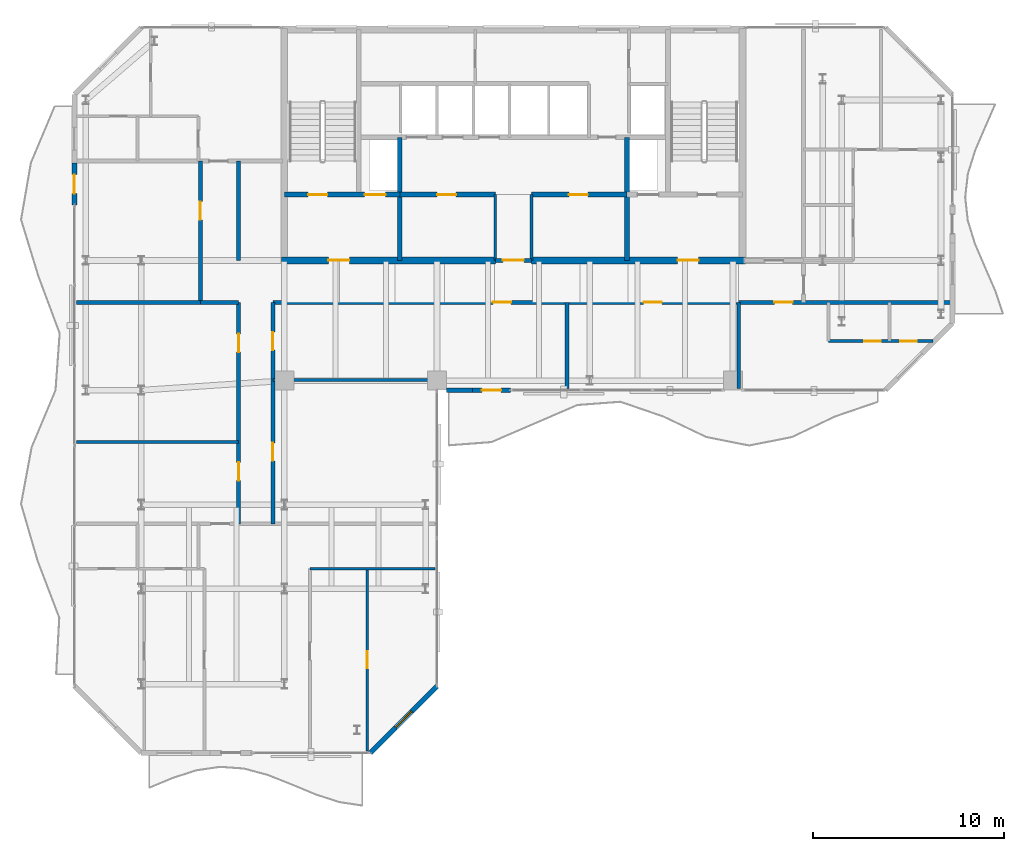
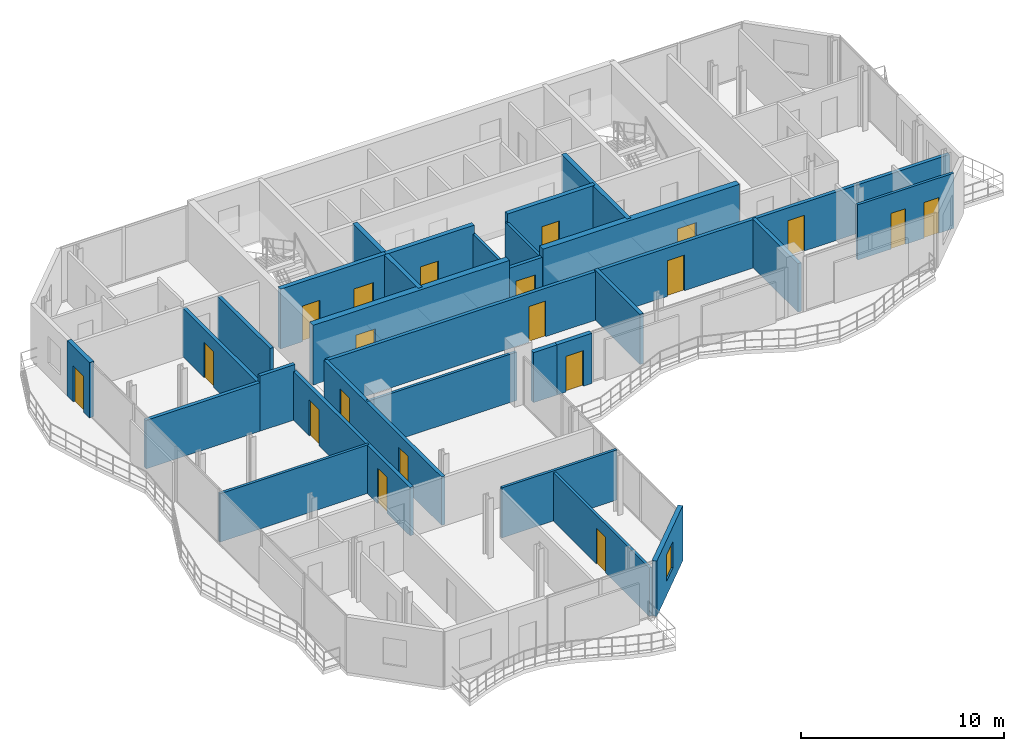
# One storey, part 18 of 23: 28 walls, 20 doors, 1 window, 21 openings.
"""IFC4 building model written with IfcOpenShell, lengths in metres."""

from ifc_helpers import new_model, si_unit, direction, frame, frame_2d, origin, place, context, subcontext, project, spatial, rectangle, extrude, material, layer, layer_set, type_object, element, fill, save


model = new_model("IFC4")

# Units and contexts
model_context = context("Model", 3, precision=1e-05, world=origin(), true_north=direction((0.0, 1.0)))
body_context = subcontext(model_context, "Body", "Model", "MODEL_VIEW")
ifc_project = project(units=[si_unit("LENGTHUNIT", "METRE"), si_unit("AREAUNIT", "SQUARE_METRE"), si_unit("VOLUMEUNIT", "CUBIC_METRE"), si_unit("PLANEANGLEUNIT", "RADIAN"), si_unit("MASSUNIT", "GRAM", prefix="KILO")], contexts=[model_context])

# Site, building, storey
site_placement = place(None, origin())
site = spatial("IfcSite", under=ifc_project, at=site_placement, CompositionType="ELEMENT")
building_placement = place(site_placement, origin())
building = spatial("IfcBuilding", under=site, at=building_placement, Name="Catumbela Crestline Tower", CompositionType="ELEMENT")
storey_placement = place(building_placement, frame((0.0, 0.0, 197.4)))
storey = spatial("IfcBuildingStorey", under=building, at=storey_placement, Name="L51", CompositionType="ELEMENT", Elevation=197.4)

# Walls
ifc_material_1 = material(Name="Concrete C50/60", Category="concrete")
ifc_layer_1 = layer(ifc_material_1, 0.25, Name="Concrete C50/60")
ifc_layer_set_1 = layer_set([ifc_layer_1], Name="Concrete C50/60")
wall_type_1 = type_object("IfcWallType", Name="CW-250D", PredefinedType="SHEAR", material=ifc_layer_set_1)
for number, where, z_axis, x_axis, name in (
    (1, (22.05, 30.8, 0.0), (0.0, 0.0, 1.0), (0.0, 1.0, 0.0), "L51 Structural Core Shear Wall FFW"),
    (2, (33.95, 30.8, 0.0), (0.0, 0.0, 1.0), (0.0, 1.0, 0.0), "L51 Structural Core Shear Wall FFE"),
):
    element("IfcWall", number, at=place(storey_placement, frame(where, z_axis=z_axis, x_axis=x_axis)), inside=storey, type_object=wall_type_1, Name=name, PredefinedType="SHEAR", context=body_context, shape_type="SweptSolid", body=[
        extrude(rectangle(XDim=6.45, YDim=0.25, at=frame_2d((3.225, 0.0))), origin(), (0.0, 0.0, 1.0), 3.6),
    ])

# Wall, openings, doors
wall_1_placement = place(storey_placement, frame((16.0, 34.25, 0.0), z_axis=(0.0, 0.0, 1.0), x_axis=(1.0, 0.0, 0.0)))
wall_1 = element("IfcWall", 3, at=wall_1_placement, inside=storey, type_object=wall_type_1, Name="L51 Structural Core Shear Wall ST1S", PredefinedType="SHEAR", context=body_context, shape_type="SweptSolid", body=[
    extrude(rectangle(XDim=6.05, YDim=0.25, at=frame_2d((3.025, 0.0))), origin(), (0.0, 0.0, 1.0), 3.6),
])
opening_1_placement = place(wall_1_placement, frame((1.25, 0.0, 0.0)))
opening_1 = element("IfcOpeningElement", 4, at=opening_1_placement, cuts=wall_1, Name="Opening DF9-100", PredefinedType="OPENING", context=body_context, shape_type="SweptSolid", body=[
    extrude(rectangle(XDim=1.0, YDim=2.15, at=frame_2d((0.5, 1.075))), frame((0.0, 0.135, 0.0), z_axis=(0.0, -1.0, 0.0), x_axis=(1.0, 0.0, 0.0)), (0.0, 0.0, 1.0), 0.27),
])
opening_2_placement = place(wall_1_placement, frame((4.2, 0.0, 0.0)))
opening_2 = element("IfcOpeningElement", 5, at=opening_2_placement, cuts=wall_1, Name="Opening LD-110", PredefinedType="OPENING", context=body_context, shape_type="SweptSolid", body=[
    extrude(rectangle(XDim=1.1, YDim=2.15, at=frame_2d((0.55, 1.075))), frame((0.0, 0.135, 0.0), z_axis=(0.0, -1.0, 0.0), x_axis=(1.0, 0.0, 0.0)), (0.0, 0.0, 1.0), 0.27),
])
ifc_material_2 = material(Name="Stainless steel EN 1.4401", Category="steel")
door_type_1 = type_object("IfcDoorType", Name="DF9-100", OperationType="NOTDEFINED", PredefinedType="DOOR", material=ifc_material_2)
door_1_placement = place(opening_1_placement, origin())
door_1 = element("IfcDoor", 6, at=door_1_placement, inside=storey, type_object=door_type_1, Name="L51 Interior Door DR-L51-ST01", OperationType="SINGLE_SWING_LEFT", OverallHeight=2.15, OverallWidth=1.0, PredefinedType="DOOR", context=body_context, shape_type="SweptSolid", body=[
    extrude(rectangle(XDim=1.0, YDim=2.15, at=frame_2d((0.5, 1.075))), frame((0.0, 0.025, 0.0), z_axis=(0.0, -1.0, 0.0), x_axis=(1.0, 0.0, 0.0)), (0.0, 0.0, 1.0), 0.05),
])
fill(opening_1, door_1)
door_type_2 = type_object("IfcDoorType", Name="LD-110", OperationType="NOTDEFINED", PredefinedType="DOOR", material=ifc_material_2)
door_2_placement = place(opening_2_placement, origin())
door_2 = element("IfcDoor", 7, at=door_2_placement, inside=storey, type_object=door_type_2, Name="L51 Lift Landing Sliding Door FL-01", OperationType="DOUBLE_DOOR_SLIDING", OverallHeight=2.15, OverallWidth=1.1, PredefinedType="DOOR", context=body_context, shape_type="SweptSolid", body=[
    extrude(rectangle(XDim=1.1, YDim=2.15, at=frame_2d((0.55, 1.075))), frame((0.0, 0.025, 0.0), z_axis=(0.0, -1.0, 0.0), x_axis=(1.0, 0.0, 0.0)), (0.0, 0.0, 1.0), 0.05),
])
fill(opening_2, door_2)

# Wall, opening, door
wall_2_placement = place(storey_placement, frame((22.05, 34.25, 0.0), z_axis=(0.0, 0.0, 1.0), x_axis=(1.0, 0.0, 0.0)))
wall_2 = element("IfcWall", 8, at=wall_2_placement, inside=storey, type_object=wall_type_1, Name="L51 Structural Core Shear Wall LIFTS-W", PredefinedType="SHEAR", context=body_context, shape_type="SweptSolid", body=[
    extrude(rectangle(XDim=5.0, YDim=0.25, at=frame_2d((2.5, 0.0))), origin(), (0.0, 0.0, 1.0), 3.6),
])
opening_3_placement = place(wall_2_placement, frame((1.95, 0.0, 0.0)))
opening_3 = element("IfcOpeningElement", 9, at=opening_3_placement, cuts=wall_2, Name="Opening DF9-100", PredefinedType="OPENING", context=body_context, shape_type="SweptSolid", body=[
    extrude(rectangle(XDim=1.0, YDim=2.15, at=frame_2d((0.5, 1.075))), frame((0.0, 0.135, 0.0), z_axis=(0.0, -1.0, 0.0), x_axis=(1.0, 0.0, 0.0)), (0.0, 0.0, 1.0), 0.27),
])
door_3_placement = place(opening_3_placement, origin())
door_3 = element("IfcDoor", 10, at=door_3_placement, inside=storey, type_object=door_type_1, Name="L51 Interior Door DR-L51-RECL1", OperationType="SINGLE_SWING_LEFT", OverallHeight=2.15, OverallWidth=1.0, PredefinedType="DOOR", context=body_context, shape_type="SweptSolid", body=[
    extrude(rectangle(XDim=1.0, YDim=2.15, at=frame_2d((0.5, 1.075))), frame((0.0, 0.025, 0.0), z_axis=(0.0, -1.0, 0.0), x_axis=(1.0, 0.0, 0.0)), (0.0, 0.0, 1.0), 0.05),
])
fill(opening_3, door_3)

wall_3_placement = place(storey_placement, frame((28.95, 34.25, 0.0), z_axis=(0.0, 0.0, 1.0), x_axis=(1.0, 0.0, 0.0)))
wall_3 = element("IfcWall", 11, at=wall_3_placement, inside=storey, type_object=wall_type_1, Name="L51 Structural Core Shear Wall LIFTS-E", PredefinedType="SHEAR", context=body_context, shape_type="SweptSolid", body=[
    extrude(rectangle(XDim=5.0, YDim=0.25, at=frame_2d((2.5, 0.0))), origin(), (0.0, 0.0, 1.0), 3.6),
])
opening_4_placement = place(wall_3_placement, frame((1.95, 0.0, 0.0)))
opening_4 = element("IfcOpeningElement", 12, at=opening_4_placement, cuts=wall_3, Name="Opening DF9-100", PredefinedType="OPENING", context=body_context, shape_type="SweptSolid", body=[
    extrude(rectangle(XDim=1.0, YDim=2.15, at=frame_2d((0.5, 1.075))), frame((0.0, 0.135, 0.0), z_axis=(0.0, -1.0, 0.0), x_axis=(1.0, 0.0, 0.0)), (0.0, 0.0, 1.0), 0.27),
])
door_4_placement = place(opening_4_placement, origin())
door_4 = element("IfcDoor", 13, at=door_4_placement, inside=storey, type_object=door_type_1, Name="L51 Interior Door DR-L51-RECL2", OperationType="SINGLE_SWING_RIGHT", OverallHeight=2.15, OverallWidth=1.0, PredefinedType="DOOR", context=body_context, shape_type="SweptSolid", body=[
    extrude(rectangle(XDim=1.0, YDim=2.15, at=frame_2d((0.5, 1.075))), frame((0.0, 0.025, 0.0), z_axis=(0.0, -1.0, 0.0), x_axis=(1.0, 0.0, 0.0)), (0.0, 0.0, 1.0), 0.05),
])
fill(opening_4, door_4)

ifc_layer_2 = layer(ifc_material_1, 0.35, Name="Concrete C50/60")
ifc_layer_set_2 = layer_set([ifc_layer_2], Name="Concrete C50/60")
wall_type_2 = type_object("IfcWallType", Name="CW-350B", PredefinedType="SHEAR", material=ifc_layer_set_2)
wall_4_placement = place(storey_placement, frame((15.85, 30.8, 0.0), z_axis=(0.0, 0.0, 1.0), x_axis=(1.0, 0.0, 0.0)))
wall_4 = element("IfcWall", 14, at=wall_4_placement, inside=storey, type_object=wall_type_2, Name="L51 Structural Core Shear Wall SW", PredefinedType="SHEAR", context=body_context, shape_type="SweptSolid", body=[
    extrude(rectangle(XDim=11.2, YDim=0.35, at=frame_2d((5.6, 0.0))), origin(), (0.0, 0.0, 1.0), 3.6),
])
opening_5_placement = place(wall_4_placement, frame((2.45, 0.0, 0.0)))
opening_5 = element("IfcOpeningElement", 15, at=opening_5_placement, cuts=wall_4, Name="Opening DF9-110", PredefinedType="OPENING", context=body_context, shape_type="SweptSolid", body=[
    extrude(rectangle(XDim=1.1, YDim=2.15, at=frame_2d((0.55, 1.075))), frame((0.0, 0.185, 0.0), z_axis=(0.0, -1.0, 0.0), x_axis=(1.0, 0.0, 0.0)), (0.0, 0.0, 1.0), 0.37),
])
door_type_3 = type_object("IfcDoorType", Name="DF9-110", OperationType="NOTDEFINED", PredefinedType="DOOR", material=ifc_material_2)
door_5_placement = place(opening_5_placement, origin())
door_5 = element("IfcDoor", 16, at=door_5_placement, inside=storey, type_object=door_type_3, Name="L51 Interior Door DR-L51-FFW-S", OperationType="SINGLE_SWING_LEFT", OverallHeight=2.15, OverallWidth=1.1, PredefinedType="DOOR", context=body_context, shape_type="SweptSolid", body=[
    extrude(rectangle(XDim=1.1, YDim=2.15, at=frame_2d((0.55, 1.075))), frame((0.0, 0.025, 0.0), z_axis=(0.0, -1.0, 0.0), x_axis=(1.0, 0.0, 0.0)), (0.0, 0.0, 1.0), 0.05),
])
fill(opening_5, door_5)

wall_5_placement = place(storey_placement, frame((28.95, 30.8, 0.0), z_axis=(0.0, 0.0, 1.0), x_axis=(1.0, 0.0, 0.0)))
wall_5 = element("IfcWall", 17, at=wall_5_placement, inside=storey, type_object=wall_type_2, Name="L51 Structural Core Shear Wall SE", PredefinedType="SHEAR", context=body_context, shape_type="SweptSolid", body=[
    extrude(rectangle(XDim=11.2, YDim=0.35, at=frame_2d((5.6, 0.0))), origin(), (0.0, 0.0, 1.0), 3.6),
])
opening_6_placement = place(wall_5_placement, frame((7.65, 0.0, 0.0)))
opening_6 = element("IfcOpeningElement", 18, at=opening_6_placement, cuts=wall_5, Name="Opening DF9-110", PredefinedType="OPENING", context=body_context, shape_type="SweptSolid", body=[
    extrude(rectangle(XDim=1.1, YDim=2.15, at=frame_2d((0.55, 1.075))), frame((0.0, 0.185, 0.0), z_axis=(0.0, -1.0, 0.0), x_axis=(1.0, 0.0, 0.0)), (0.0, 0.0, 1.0), 0.37),
])
door_6_placement = place(opening_6_placement, origin())
door_6 = element("IfcDoor", 19, at=door_6_placement, inside=storey, type_object=door_type_3, Name="L51 Interior Door DR-L51-FFE-S", OperationType="SINGLE_SWING_RIGHT", OverallHeight=2.15, OverallWidth=1.1, PredefinedType="DOOR", context=body_context, shape_type="SweptSolid", body=[
    extrude(rectangle(XDim=1.1, YDim=2.15, at=frame_2d((0.55, 1.075))), frame((0.0, 0.025, 0.0), z_axis=(0.0, -1.0, 0.0), x_axis=(1.0, 0.0, 0.0)), (0.0, 0.0, 1.0), 0.05),
])
fill(opening_6, door_6)

ifc_material_3 = material(Name="Acoustic gypsum and mineral-wool partition")
ifc_layer_3 = layer(ifc_material_3, 0.2, Name="Acoustic gypsum and mineral-wool partition")
ifc_layer_set_3 = layer_set([ifc_layer_3], Name="Acoustic gypsum and mineral-wool partition")
wall_type_3 = type_object("IfcWallType", Name="WC-200", PredefinedType="PARTITIONING", material=ifc_layer_set_3)
wall_6_placement = place(storey_placement, frame((27.05, 30.8, 0.0), z_axis=(0.0, 0.0, 1.0), x_axis=(1.0, 0.0, 0.0)))
wall_6 = element("IfcWall", 20, at=wall_6_placement, inside=storey, type_object=wall_type_3, Name="L51 Interior Partition PW-L51-CLOBS", PredefinedType="PARTITIONING", context=body_context, shape_type="SweptSolid", body=[
    extrude(rectangle(XDim=1.9, YDim=0.2, at=frame_2d((0.95, 0.0))), origin(), (0.0, 0.0, 1.0), 3.07),
])
opening_7_placement = place(wall_6_placement, frame((0.4, 0.0, 0.0)))
opening_7 = element("IfcOpeningElement", 21, at=opening_7_placement, cuts=wall_6, Name="Opening DF9-110", PredefinedType="OPENING", context=body_context, shape_type="SweptSolid", body=[
    extrude(rectangle(XDim=1.1, YDim=2.15, at=frame_2d((0.55, 1.075))), frame((0.0, 0.11, 0.0), z_axis=(0.0, -1.0, 0.0), x_axis=(1.0, 0.0, 0.0)), (0.0, 0.0, 1.0), 0.22),
])
door_7_placement = place(opening_7_placement, origin())
door_7 = element("IfcDoor", 22, at=door_7_placement, inside=storey, type_object=door_type_3, Name="L51 Interior Door DR-L51-CLOBS", OperationType="SINGLE_SWING_LEFT", OverallHeight=2.15, OverallWidth=1.1, PredefinedType="DOOR", context=body_context, shape_type="SweptSolid", body=[
    extrude(rectangle(XDim=1.1, YDim=2.15, at=frame_2d((0.55, 1.075))), frame((0.0, 0.025, 0.0), z_axis=(0.0, -1.0, 0.0), x_axis=(1.0, 0.0, 0.0)), (0.0, 0.0, 1.0), 0.05),
])
fill(opening_7, door_7)

# Wall
wall_7_placement = place(storey_placement, frame((11.6, 28.6, 0.0), z_axis=(0.0, 0.0, 1.0), x_axis=(1.0, 0.0, 0.0)))
element("IfcWall", 23, at=wall_7_placement, inside=storey, type_object=wall_type_3, Name="L51 Interior Partition PW-L51-RCWL", PredefinedType="PARTITIONING", context=body_context, shape_type="SweptSolid", body=[
    extrude(rectangle(XDim=2.0, YDim=0.2, at=frame_2d((1.0, 0.0))), origin(), (0.0, 0.0, 1.0), 3.33),
])

# Wall, openings, doors
wall_8_placement = place(storey_placement, frame((15.4, 28.6, 0.0), z_axis=(0.0, 0.0, 1.0), x_axis=(1.0, 0.0, 0.0)))
wall_8 = element("IfcWall", 24, at=wall_8_placement, inside=storey, type_object=wall_type_3, Name="L51 Interior Partition PW-L51-RCWR", PredefinedType="PARTITIONING", context=body_context, shape_type="SweptSolid", body=[
    extrude(rectangle(XDim=35.5, YDim=0.2, at=frame_2d((17.75, 0.0))), origin(), (0.0, 0.0, 1.0), 2.92),
])
opening_8_placement = place(wall_8_placement, frame((11.525, 0.0, 0.0)))
opening_8 = element("IfcOpeningElement", 25, at=opening_8_placement, cuts=wall_8, Name="Opening DF6-095", PredefinedType="OPENING", context=body_context, shape_type="SweptSolid", body=[
    extrude(rectangle(XDim=0.95, YDim=2.15, at=frame_2d((0.475, 1.075))), frame((0.0, 0.11, 0.0), z_axis=(0.0, -1.0, 0.0), x_axis=(1.0, 0.0, 0.0)), (0.0, 0.0, 1.0), 0.22),
])
opening_9_placement = place(wall_8_placement, frame((19.425, 0.0, 0.0)))
opening_9 = element("IfcOpeningElement", 26, at=opening_9_placement, cuts=wall_8, Name="Opening DF6-095", PredefinedType="OPENING", context=body_context, shape_type="SweptSolid", body=[
    extrude(rectangle(XDim=0.95, YDim=2.15, at=frame_2d((0.475, 1.075))), frame((0.0, 0.11, 0.0), z_axis=(0.0, -1.0, 0.0), x_axis=(1.0, 0.0, 0.0)), (0.0, 0.0, 1.0), 0.22),
])
opening_10_placement = place(wall_8_placement, frame((26.275, 0.0, 0.0)))
opening_10 = element("IfcOpeningElement", 27, at=opening_10_placement, cuts=wall_8, Name="Opening DF6-095", PredefinedType="OPENING", context=body_context, shape_type="SweptSolid", body=[
    extrude(rectangle(XDim=0.95, YDim=2.15, at=frame_2d((0.475, 1.075))), frame((0.0, 0.11, 0.0), z_axis=(0.0, -1.0, 0.0), x_axis=(1.0, 0.0, 0.0)), (0.0, 0.0, 1.0), 0.22),
])
ifc_material_4 = material(Name="Aluminium alloy AW-6060-T66", Category="aluminium")
door_type_4 = type_object("IfcDoorType", Name="DF6-095", OperationType="NOTDEFINED", PredefinedType="DOOR", material=ifc_material_4)
door_8_placement = place(opening_8_placement, origin())
door_8 = element("IfcDoor", 28, at=door_8_placement, inside=storey, type_object=door_type_4, Name="L51 Interior Door DR-L51-Z3AM1-ENT", OperationType="SINGLE_SWING_LEFT", OverallHeight=2.15, OverallWidth=0.95, PredefinedType="DOOR", context=body_context, shape_type="SweptSolid", body=[
    extrude(rectangle(XDim=0.95, YDim=2.15, at=frame_2d((0.475, 1.075))), frame((0.0, 0.025, 0.0), z_axis=(0.0, -1.0, 0.0), x_axis=(1.0, 0.0, 0.0)), (0.0, 0.0, 1.0), 0.05),
])
fill(opening_8, door_8)
door_9_placement = place(opening_9_placement, origin())
door_9 = element("IfcDoor", 29, at=door_9_placement, inside=storey, type_object=door_type_4, Name="L51 Interior Door DR-L51-Z3AM2-ENT", OperationType="SINGLE_SWING_RIGHT", OverallHeight=2.15, OverallWidth=0.95, PredefinedType="DOOR", context=body_context, shape_type="SweptSolid", body=[
    extrude(rectangle(XDim=0.95, YDim=2.15, at=frame_2d((0.475, 1.075))), frame((0.0, 0.025, 0.0), z_axis=(0.0, -1.0, 0.0), x_axis=(1.0, 0.0, 0.0)), (0.0, 0.0, 1.0), 0.05),
])
fill(opening_9, door_9)
door_10_placement = place(opening_10_placement, origin())
door_10 = element("IfcDoor", 30, at=door_10_placement, inside=storey, type_object=door_type_4, Name="L51 Interior Door DR-L51-S3-ENT", OperationType="SINGLE_SWING_LEFT", OverallHeight=2.15, OverallWidth=0.95, PredefinedType="DOOR", context=body_context, shape_type="SweptSolid", body=[
    extrude(rectangle(XDim=0.95, YDim=2.15, at=frame_2d((0.475, 1.075))), frame((0.0, 0.025, 0.0), z_axis=(0.0, -1.0, 0.0), x_axis=(1.0, 0.0, 0.0)), (0.0, 0.0, 1.0), 0.05),
])
fill(opening_10, door_10)

# Wall
wall_9_placement = place(storey_placement, frame((13.6, 30.8, 0.0), z_axis=(0.0, 0.0, 1.0), x_axis=(0.0, 1.0, 0.0)))
element("IfcWall", 31, at=wall_9_placement, inside=storey, type_object=wall_type_3, Name="L51 Interior Partition PW-L51-NWFYE", PredefinedType="PARTITIONING", context=body_context, shape_type="SweptSolid", body=[
    extrude(rectangle(XDim=5.2, YDim=0.2, at=frame_2d((2.6, 0.0))), origin(), (0.0, 0.0, 1.0), 2.92),
])

# Wall, opening, door
wall_10_placement = place(storey_placement, frame((11.6, 28.6, 0.0), z_axis=(0.0, 0.0, 1.0), x_axis=(0.0, 1.0, 0.0)))
wall_10 = element("IfcWall", 32, at=wall_10_placement, inside=storey, type_object=wall_type_3, Name="L51 Interior Partition PW-L51-NWAM-ENT", PredefinedType="PARTITIONING", context=body_context, shape_type="SweptSolid", body=[
    extrude(rectangle(XDim=7.4, YDim=0.2, at=frame_2d((3.7, 0.0))), origin(), (0.0, 0.0, 1.0), 2.92),
])
opening_11_placement = place(wall_10_placement, frame((4.325, 0.0, 0.0)))
opening_11 = element("IfcOpeningElement", 33, at=opening_11_placement, cuts=wall_10, Name="Opening DF6-095", PredefinedType="OPENING", context=body_context, shape_type="SweptSolid", body=[
    extrude(rectangle(XDim=0.95, YDim=2.15, at=frame_2d((0.475, 1.075))), frame((0.0, 0.11, 0.0), z_axis=(0.0, -1.0, 0.0), x_axis=(1.0, 0.0, 0.0)), (0.0, 0.0, 1.0), 0.22),
])
door_11_placement = place(opening_11_placement, origin())
door_11 = element("IfcDoor", 34, at=door_11_placement, inside=storey, type_object=door_type_4, Name="L51 Interior Door DR-L51-NWAM-ENT", OperationType="SINGLE_SWING_RIGHT", OverallHeight=2.15, OverallWidth=0.95, PredefinedType="DOOR", context=body_context, shape_type="SweptSolid", body=[
    extrude(rectangle(XDim=0.95, YDim=2.15, at=frame_2d((0.475, 1.075))), frame((0.0, 0.025, 0.0), z_axis=(0.0, -1.0, 0.0), x_axis=(1.0, 0.0, 0.0)), (0.0, 0.0, 1.0), 0.05),
])
fill(opening_11, door_11)

# Wall, openings, doors
wall_11_placement = place(storey_placement, frame((13.6, 17.0, 0.0), z_axis=(0.0, 0.0, 1.0), x_axis=(0.0, 1.0, 0.0)))
wall_11 = element("IfcWall", 35, at=wall_11_placement, inside=storey, type_object=wall_type_3, Name="L51 Interior Partition PW-L51-Z3TR1-ENT", PredefinedType="PARTITIONING", context=body_context, shape_type="SweptSolid", body=[
    extrude(rectangle(XDim=11.6, YDim=0.2, at=frame_2d((5.8, 0.0))), origin(), (0.0, 0.0, 1.0), 2.92),
])
opening_12_placement = place(wall_11_placement, frame((8.9962, 0.0, 0.0)))
opening_12 = element("IfcOpeningElement", 36, at=opening_12_placement, cuts=wall_11, Name="Opening DF6-095", PredefinedType="OPENING", context=body_context, shape_type="SweptSolid", body=[
    extrude(rectangle(XDim=0.95, YDim=2.15, at=frame_2d((0.475, 1.075))), frame((0.0, 0.11, 0.0), z_axis=(0.0, -1.0, 0.0), x_axis=(1.0, 0.0, 0.0)), (0.0, 0.0, 1.0), 0.22),
])
opening_13_placement = place(wall_11_placement, frame((2.269, 0.0, 0.0)))
opening_13 = element("IfcOpeningElement", 37, at=opening_13_placement, cuts=wall_11, Name="Opening DF6-095", PredefinedType="OPENING", context=body_context, shape_type="SweptSolid", body=[
    extrude(rectangle(XDim=0.95, YDim=2.15, at=frame_2d((0.475, 1.075))), frame((0.0, 0.11, 0.0), z_axis=(0.0, -1.0, 0.0), x_axis=(1.0, 0.0, 0.0)), (0.0, 0.0, 1.0), 0.22),
])
door_12_placement = place(opening_12_placement, origin())
door_12 = element("IfcDoor", 38, at=door_12_placement, inside=storey, type_object=door_type_4, Name="L51 Interior Door DR-L51-Z3TR1-ENT", OperationType="SINGLE_SWING_LEFT", OverallHeight=2.15, OverallWidth=0.95, PredefinedType="DOOR", context=body_context, shape_type="SweptSolid", body=[
    extrude(rectangle(XDim=0.95, YDim=2.15, at=frame_2d((0.475, 1.075))), frame((0.0, 0.025, 0.0), z_axis=(0.0, -1.0, 0.0), x_axis=(1.0, 0.0, 0.0)), (0.0, 0.0, 1.0), 0.05),
])
fill(opening_12, door_12)
door_13_placement = place(opening_13_placement, origin())
door_13 = element("IfcDoor", 39, at=door_13_placement, inside=storey, type_object=door_type_4, Name="L51 Interior Door DR-L51-Z3DN1-ENT", OperationType="SINGLE_SWING_LEFT", OverallHeight=2.15, OverallWidth=0.95, PredefinedType="DOOR", context=body_context, shape_type="SweptSolid", body=[
    extrude(rectangle(XDim=0.95, YDim=2.15, at=frame_2d((0.475, 1.075))), frame((0.0, 0.025, 0.0), z_axis=(0.0, -1.0, 0.0), x_axis=(1.0, 0.0, 0.0)), (0.0, 0.0, 1.0), 0.05),
])
fill(opening_13, door_13)

wall_12_placement = place(storey_placement, frame((15.4, 17.0, 0.0), z_axis=(0.0, 0.0, 1.0), x_axis=(0.0, 1.0, 0.0)))
wall_12 = element("IfcWall", 40, at=wall_12_placement, inside=storey, type_object=wall_type_3, Name="L51 Interior Partition PW-L51-Z3OF3-ENT", PredefinedType="PARTITIONING", context=body_context, shape_type="SweptSolid", body=[
    extrude(rectangle(XDim=11.6, YDim=0.2, at=frame_2d((5.8, 0.0))), origin(), (0.0, 0.0, 1.0), 2.92),
])
opening_14_placement = place(wall_12_placement, frame((9.095, 0.0, 0.0)))
opening_14 = element("IfcOpeningElement", 41, at=opening_14_placement, cuts=wall_12, Name="Opening DF6-095", PredefinedType="OPENING", context=body_context, shape_type="SweptSolid", body=[
    extrude(rectangle(XDim=0.95, YDim=2.15, at=frame_2d((0.475, 1.075))), frame((0.0, 0.11, 0.0), z_axis=(0.0, -1.0, 0.0), x_axis=(1.0, 0.0, 0.0)), (0.0, 0.0, 1.0), 0.22),
])
opening_15_placement = place(wall_12_placement, frame((3.295, 0.0, 0.0)))
opening_15 = element("IfcOpeningElement", 42, at=opening_15_placement, cuts=wall_12, Name="Opening DF6-095", PredefinedType="OPENING", context=body_context, shape_type="SweptSolid", body=[
    extrude(rectangle(XDim=0.95, YDim=2.15, at=frame_2d((0.475, 1.075))), frame((0.0, 0.11, 0.0), z_axis=(0.0, -1.0, 0.0), x_axis=(1.0, 0.0, 0.0)), (0.0, 0.0, 1.0), 0.22),
])
door_14_placement = place(opening_14_placement, origin())
door_14 = element("IfcDoor", 43, at=door_14_placement, inside=storey, type_object=door_type_4, Name="L51 Interior Door DR-L51-Z3OF3-ENT", OperationType="SINGLE_SWING_RIGHT", OverallHeight=2.15, OverallWidth=0.95, PredefinedType="DOOR", context=body_context, shape_type="SweptSolid", body=[
    extrude(rectangle(XDim=0.95, YDim=2.15, at=frame_2d((0.475, 1.075))), frame((0.0, 0.025, 0.0), z_axis=(0.0, -1.0, 0.0), x_axis=(1.0, 0.0, 0.0)), (0.0, 0.0, 1.0), 0.05),
])
fill(opening_14, door_14)
door_15_placement = place(opening_15_placement, origin())
door_15 = element("IfcDoor", 44, at=door_15_placement, inside=storey, type_object=door_type_4, Name="L51 Interior Door DR-L51-Z3MT1-ENT", OperationType="SINGLE_SWING_RIGHT", OverallHeight=2.15, OverallWidth=0.95, PredefinedType="DOOR", context=body_context, shape_type="SweptSolid", body=[
    extrude(rectangle(XDim=0.95, YDim=2.15, at=frame_2d((0.475, 1.075))), frame((0.0, 0.025, 0.0), z_axis=(0.0, -1.0, 0.0), x_axis=(1.0, 0.0, 0.0)), (0.0, 0.0, 1.0), 0.05),
])
fill(opening_15, door_15)

# Wall, opening, window
ifc_material_5 = material(Name="Angolan grey-ochre granite", Category="masonry")
ifc_layer_4 = layer(ifc_material_5, 0.25, Name="Angolan grey-ochre granite")
ifc_layer_set_4 = layer_set([ifc_layer_4], Name="Angolan grey-ochre granite")
wall_type_4 = type_object("IfcWallType", Name="WE-250", PredefinedType="STANDARD", material=ifc_layer_set_4)
wall_13_placement = place(storey_placement, frame((20.5, 5.0, 0.0), z_axis=(0.0, 0.0, 1.0), x_axis=(0.707106781187, 0.707106781187, 0.0)))
wall_13 = element("IfcWall", 45, at=wall_13_placement, inside=storey, type_object=wall_type_4, Name="L51 Granite Punched Window Wall 1-1", PredefinedType="STANDARD", context=body_context, shape_type="SweptSolid", body=[
    extrude(rectangle(XDim=4.9497, YDim=0.25, at=frame_2d((2.4748, 0.0))), origin(), (0.0, 0.0, 1.0), 3.33),
])
opening_16_placement = place(wall_13_placement, frame((1.8748, 0.0, 0.85)))
opening_16 = element("IfcOpeningElement", 46, at=opening_16_placement, cuts=wall_13, Name="Opening WN-02", PredefinedType="OPENING", context=body_context, shape_type="SweptSolid", body=[
    extrude(rectangle(XDim=1.2, YDim=1.6, at=frame_2d((0.6, 0.8))), frame((0.0, 0.135, 0.0), z_axis=(0.0, -1.0, 0.0), x_axis=(1.0, 0.0, 0.0)), (0.0, 0.0, 1.0), 0.27),
])
ifc_material_6 = material(Name="Low-E laminated solar-control double glazing", Category="glass")
window_type = type_object("IfcWindowType", Name="WO-1200", PartitioningType="SINGLE_PANEL", PredefinedType="WINDOW", material=ifc_material_6)
window_placement = place(opening_16_placement, origin())
window = element("IfcWindow", 47, at=window_placement, inside=storey, type_object=window_type, Name="L51 Facade Vision Window 338", OverallHeight=1.6, OverallWidth=1.2, PartitioningType="SINGLE_PANEL", PredefinedType="WINDOW", context=body_context, shape_type="SweptSolid", body=[
    extrude(rectangle(XDim=1.2, YDim=1.6, at=frame_2d((0.6, 0.8))), frame((0.0, 0.03, 0.0), z_axis=(0.0, -1.0, 0.0), x_axis=(1.0, 0.0, 0.0)), (0.0, 0.0, 1.0), 0.06),
])
fill(opening_16, window)

# Wall, opening, door
wall_14_placement = place(storey_placement, frame((25.85, 24.0, 0.0), z_axis=(0.0, 0.0, 1.0), x_axis=(1.0, 0.0, 0.0)))
wall_14 = element("IfcWall", 48, at=wall_14_placement, inside=storey, type_object=wall_type_4, Name="L51 Exterior Threshold Portal Wall DR-L51-WBAL-1", PredefinedType="STANDARD", context=body_context, shape_type="SweptSolid", body=[
    extrude(rectangle(XDim=2.0, YDim=0.25, at=frame_2d((1.0, 0.0))), origin(), (0.0, 0.0, 1.0), 3.02),
])
opening_17_placement = place(wall_14_placement, frame((0.5, 0.0, 0.0)))
opening_17 = element("IfcOpeningElement", 49, at=opening_17_placement, cuts=wall_14, Name="Opening DB-L51-1", PredefinedType="OPENING", context=body_context, shape_type="SweptSolid", body=[
    extrude(rectangle(XDim=1.0, YDim=2.15, at=frame_2d((0.5, 1.075))), frame((0.0, 0.135, 0.0), z_axis=(0.0, -1.0, 0.0), x_axis=(1.0, 0.0, 0.0)), (0.0, 0.0, 1.0), 0.27),
])
door_type_5 = type_object("IfcDoorType", Name="DB-1000", OperationType="NOTDEFINED", PredefinedType="DOOR", material=ifc_material_4)
door_16_placement = place(opening_17_placement, origin())
door_16 = element("IfcDoor", 50, at=door_16_placement, inside=storey, type_object=door_type_5, Name="L51 Wave Balcony Terrace Door 1", OperationType="SINGLE_SWING_LEFT", OverallHeight=2.15, OverallWidth=1.0, PredefinedType="DOOR", context=body_context, shape_type="SweptSolid", body=[
    extrude(rectangle(XDim=1.0, YDim=2.15, at=frame_2d((0.5, 1.075))), frame((0.0, 0.025, 0.0), z_axis=(0.0, -1.0, 0.0), x_axis=(1.0, 0.0, 0.0)), (0.0, 0.0, 1.0), 0.05),
])
fill(opening_17, door_16)

# Wall
wall_15_placement = place(storey_placement, frame((24.5, 24.0, 0.0), z_axis=(0.0, 0.0, 1.0), x_axis=(1.0, 0.0, 0.0)))
element("IfcWall", 51, at=wall_15_placement, inside=storey, type_object=wall_type_4, Name="L51 Granite Punched Window Wall 3-1", PredefinedType="STANDARD", context=body_context, shape_type="SweptSolid", body=[
    extrude(rectangle(XDim=1.35, YDim=0.25, at=frame_2d((0.675, 0.0))), origin(), (0.0, 0.0, 1.0), 3.02),
])

# Wall, opening, door
wall_16_placement = place(storey_placement, frame((5.0, 35.9, 0.0), z_axis=(0.0, 0.0, 1.0), x_axis=(0.0, -1.0, 0.0)))
wall_16 = element("IfcWall", 52, at=wall_16_placement, inside=storey, type_object=wall_type_4, Name="L51 Exterior Threshold Portal Wall DR-L51-WBAL-4", PredefinedType="STANDARD", context=body_context, shape_type="SweptSolid", body=[
    extrude(rectangle(XDim=2.2, YDim=0.25, at=frame_2d((1.1, 0.0))), origin(), (0.0, 0.0, 1.0), 3.33),
])
opening_18_placement = place(wall_16_placement, frame((0.6, 0.0, 0.0)))
opening_18 = element("IfcOpeningElement", 53, at=opening_18_placement, cuts=wall_16, Name="Opening DB-L51-4", PredefinedType="OPENING", context=body_context, shape_type="SweptSolid", body=[
    extrude(rectangle(XDim=1.0, YDim=2.15, at=frame_2d((0.5, 1.075))), frame((0.0, 0.135, 0.0), z_axis=(0.0, -1.0, 0.0), x_axis=(1.0, 0.0, 0.0)), (0.0, 0.0, 1.0), 0.27),
])
door_17_placement = place(opening_18_placement, origin())
door_17 = element("IfcDoor", 54, at=door_17_placement, inside=storey, type_object=door_type_5, Name="L51 Wave Balcony Terrace Door 4", OperationType="SINGLE_SWING_RIGHT", OverallHeight=2.15, OverallWidth=1.0, PredefinedType="DOOR", context=body_context, shape_type="SweptSolid", body=[
    extrude(rectangle(XDim=1.0, YDim=2.15, at=frame_2d((0.5, 1.075))), frame((0.0, 0.025, 0.0), z_axis=(0.0, -1.0, 0.0), x_axis=(1.0, 0.0, 0.0)), (0.0, 0.0, 1.0), 0.05),
])
fill(opening_18, door_17)

# Wall, openings, doors
ifc_layer_5 = layer(ifc_material_3, 0.15, Name="Acoustic gypsum and mineral-wool partition")
ifc_layer_set_5 = layer_set([ifc_layer_5], Name="Acoustic gypsum and mineral-wool partition")
wall_type_5 = type_object("IfcWallType", Name="WP-150", PredefinedType="PARTITIONING", material=ifc_layer_set_5)
wall_17_placement = place(storey_placement, frame((44.5, 26.576, 0.0), z_axis=(0.0, 0.0, 1.0), x_axis=(1.0, 0.0, 0.0)))
wall_17 = element("IfcWall", 55, at=wall_17_placement, inside=storey, type_object=wall_type_5, Name="L51 Interior Partition PW-L51-S3-KBD1", PredefinedType="PARTITIONING", context=body_context, shape_type="SweptSolid", body=[
    extrude(rectangle(XDim=5.476, YDim=0.15, at=frame_2d((2.738, 0.0))), origin(), (0.0, 0.0, 1.0), 3.33),
])
opening_19_placement = place(wall_17_placement, frame((1.8821, 0.0, 0.0)))
opening_19 = element("IfcOpeningElement", 56, at=opening_19_placement, cuts=wall_17, Name="Opening DI-085", PredefinedType="OPENING", context=body_context, shape_type="SweptSolid", body=[
    extrude(rectangle(XDim=0.85, YDim=2.15, at=frame_2d((0.425, 1.075))), frame((0.0, 0.085, 0.0), z_axis=(0.0, -1.0, 0.0), x_axis=(1.0, 0.0, 0.0)), (0.0, 0.0, 1.0), 0.17),
])
opening_20_placement = place(wall_17_placement, frame((3.7704, 0.0, 0.0)))
opening_20 = element("IfcOpeningElement", 57, at=opening_20_placement, cuts=wall_17, Name="Opening DI-085", PredefinedType="OPENING", context=body_context, shape_type="SweptSolid", body=[
    extrude(rectangle(XDim=0.85, YDim=2.15, at=frame_2d((0.425, 1.075))), frame((0.0, 0.085, 0.0), z_axis=(0.0, -1.0, 0.0), x_axis=(1.0, 0.0, 0.0)), (0.0, 0.0, 1.0), 0.17),
])
door_type_6 = type_object("IfcDoorType", Name="DI-085", OperationType="NOTDEFINED", PredefinedType="DOOR", material=ifc_material_4)
door_18_placement = place(opening_19_placement, origin())
door_18 = element("IfcDoor", 58, at=door_18_placement, inside=storey, type_object=door_type_6, Name="L51 Interior Door DR-L51-S3-BTH", OperationType="SINGLE_SWING_RIGHT", OverallHeight=2.15, OverallWidth=0.85, PredefinedType="DOOR", context=body_context, shape_type="SweptSolid", body=[
    extrude(rectangle(XDim=0.85, YDim=2.15, at=frame_2d((0.425, 1.075))), frame((0.0, 0.025, 0.0), z_axis=(0.0, -1.0, 0.0), x_axis=(1.0, 0.0, 0.0)), (0.0, 0.0, 1.0), 0.05),
])
fill(opening_19, door_18)
door_19_placement = place(opening_20_placement, origin())
door_19 = element("IfcDoor", 59, at=door_19_placement, inside=storey, type_object=door_type_6, Name="L51 Interior Door DR-L51-S3-KIT", OperationType="SINGLE_SWING_LEFT", OverallHeight=2.15, OverallWidth=0.85, PredefinedType="DOOR", context=body_context, shape_type="SweptSolid", body=[
    extrude(rectangle(XDim=0.85, YDim=2.15, at=frame_2d((0.425, 1.075))), frame((0.0, 0.025, 0.0), z_axis=(0.0, -1.0, 0.0), x_axis=(1.0, 0.0, 0.0)), (0.0, 0.0, 1.0), 0.05),
])
fill(opening_20, door_19)

# Walls
for number, where, z_axis, x_axis, name in (
    (60, (5.1, 21.292, 0.0), (0.0, 0.0, 1.0), (1.0, 0.0, 0.0), "L51 Interior Partition PW-L51-RWLP34"),
    (61, (15.4, 24.54, 0.0), (0.0, 0.0, 1.0), (1.0, 0.0, 0.0), "L51 Interior Partition PW-L51-RWRP4"),
):
    element("IfcWall", number, at=place(storey_placement, frame(where, z_axis=z_axis, x_axis=x_axis)), inside=storey, type_object=wall_type_5, Name=name, PredefinedType="PARTITIONING", context=body_context, shape_type="SweptSolid", body=[
        extrude(rectangle(XDim=8.5, YDim=0.15, at=frame_2d((4.25, 0.0))), origin(), (0.0, 0.0, 1.0), 2.92),
    ])
wall_18_placement = place(storey_placement, frame((17.34, 14.65, 0.0), z_axis=(0.0, 0.0, 1.0), x_axis=(1.0, 0.0, 0.0)))
element("IfcWall", 62, at=wall_18_placement, inside=storey, type_object=wall_type_5, Name="L51 Interior Partition PW-L51-SH1-BDRH", PredefinedType="PARTITIONING", context=body_context, shape_type="SweptSolid", body=[
    extrude(rectangle(XDim=6.56, YDim=0.15, at=frame_2d((3.28, 0.0))), origin(), (0.0, 0.0, 1.0), 3.02),
])

# Wall, opening, door
wall_19_placement = place(storey_placement, frame((20.34, 5.1, 0.0), z_axis=(0.0, 0.0, 1.0), x_axis=(0.0, 1.0, 0.0)))
wall_19 = element("IfcWall", 63, at=wall_19_placement, inside=storey, type_object=wall_type_5, Name="L51 Interior Partition PW-L51-SH1-BDR", PredefinedType="PARTITIONING", context=body_context, shape_type="SweptSolid", body=[
    extrude(rectangle(XDim=9.55, YDim=0.15, at=frame_2d((4.775, 0.0))), origin(), (0.0, 0.0, 1.0), 2.92),
])
opening_21_placement = place(wall_19_placement, frame((4.325, 0.0, 0.0)))
opening_21 = element("IfcOpeningElement", 64, at=opening_21_placement, cuts=wall_19, Name="Opening DI-090", PredefinedType="OPENING", context=body_context, shape_type="SweptSolid", body=[
    extrude(rectangle(XDim=0.9, YDim=2.15, at=frame_2d((0.45, 1.075))), frame((0.0, 0.085, 0.0), z_axis=(0.0, -1.0, 0.0), x_axis=(1.0, 0.0, 0.0)), (0.0, 0.0, 1.0), 0.17),
])
door_type_7 = type_object("IfcDoorType", Name="DI-090", OperationType="NOTDEFINED", PredefinedType="DOOR", material=ifc_material_4)
door_20_placement = place(opening_21_placement, origin())
door_20 = element("IfcDoor", 65, at=door_20_placement, inside=storey, type_object=door_type_7, Name="L51 Interior Door DR-L51-SH1-BD2", OperationType="SINGLE_SWING_RIGHT", OverallHeight=2.15, OverallWidth=0.9, PredefinedType="DOOR", context=body_context, shape_type="SweptSolid", body=[
    extrude(rectangle(XDim=0.9, YDim=2.15, at=frame_2d((0.45, 1.075))), frame((0.0, 0.025, 0.0), z_axis=(0.0, -1.0, 0.0), x_axis=(1.0, 0.0, 0.0)), (0.0, 0.0, 1.0), 0.05),
])
fill(opening_21, door_20)

# Walls
ifc_layer_6 = layer(ifc_material_3, 0.2, Name="Acoustic gypsum and mineral-wool partition")
ifc_layer_set_6 = layer_set([ifc_layer_6], Name="Acoustic gypsum and mineral-wool partition")
wall_type_6 = type_object("IfcWallType", Name="WY-200", PredefinedType="PARTITIONING", material=ifc_layer_set_6)
wall_20_placement = place(storey_placement, frame((5.1, 28.6, 0.0), z_axis=(0.0, 0.0, 1.0), x_axis=(1.0, 0.0, 0.0)))
element("IfcWall", 66, at=wall_20_placement, inside=storey, type_object=wall_type_6, Name="L51 Interior Partition PW-L51-RCWNW", PredefinedType="PARTITIONING", context=body_context, shape_type="SweptSolid", body=[
    extrude(rectangle(XDim=6.5, YDim=0.2, at=frame_2d((3.25, 0.0))), origin(), (0.0, 0.0, 1.0), 2.92),
])
wall_21_placement = place(storey_placement, frame((30.8, 24.1, 0.0), z_axis=(0.0, 0.0, 1.0), x_axis=(0.0, 1.0, 0.0)))
element("IfcWall", 67, at=wall_21_placement, inside=storey, type_object=wall_type_6, Name="L51 Interior Partition PW-L51-RSPP-2", PredefinedType="PARTITIONING", context=body_context, shape_type="SweptSolid", body=[
    extrude(rectangle(XDim=4.5, YDim=0.2, at=frame_2d((2.25, 0.0))), origin(), (0.0, 0.0, 1.0), 3.02),
])
wall_22_placement = place(storey_placement, frame((39.8, 24.1, 0.0), z_axis=(0.0, 0.0, 1.0), x_axis=(0.0, 1.0, 0.0)))
element("IfcWall", 68, at=wall_22_placement, inside=storey, type_object=wall_type_6, Name="L51 Interior Partition PW-L51-RSPP-3", PredefinedType="PARTITIONING", context=body_context, shape_type="SweptSolid", body=[
    extrude(rectangle(XDim=4.5, YDim=0.2, at=frame_2d((2.25, 0.0))), origin(), (0.0, 0.0, 1.0), 2.92),
])
ifc_layer_7 = layer(ifc_material_3, 0.15, Name="Acoustic gypsum and mineral-wool partition")
ifc_layer_set_7 = layer_set([ifc_layer_7], Name="Acoustic gypsum and mineral-wool partition")
wall_type_7 = type_object("IfcWallType", Name="WS-150", PredefinedType="PLUMBINGWALL", material=ifc_layer_set_7)
for number, where, z_axis, x_axis, name in (
    (69, (27.05, 30.8, 0.0), (0.0, 0.0, 1.0), (0.0, 1.0, 0.0), "L51 Interior Partition PW-L51-THRW"),
    (70, (28.95, 30.8, 0.0), (0.0, 0.0, 1.0), (0.0, 1.0, 0.0), "L51 Interior Partition PW-L51-THRE"),
):
    element("IfcWall", number, at=place(storey_placement, frame(where, z_axis=z_axis, x_axis=x_axis)), inside=storey, type_object=wall_type_7, Name=name, PredefinedType="PLUMBINGWALL", context=body_context, shape_type="SweptSolid", body=[
        extrude(rectangle(XDim=3.45, YDim=0.15, at=frame_2d((1.725, 0.0))), origin(), (0.0, 0.0, 1.0), 3.07),
    ])

save(model, "model.ifc")
